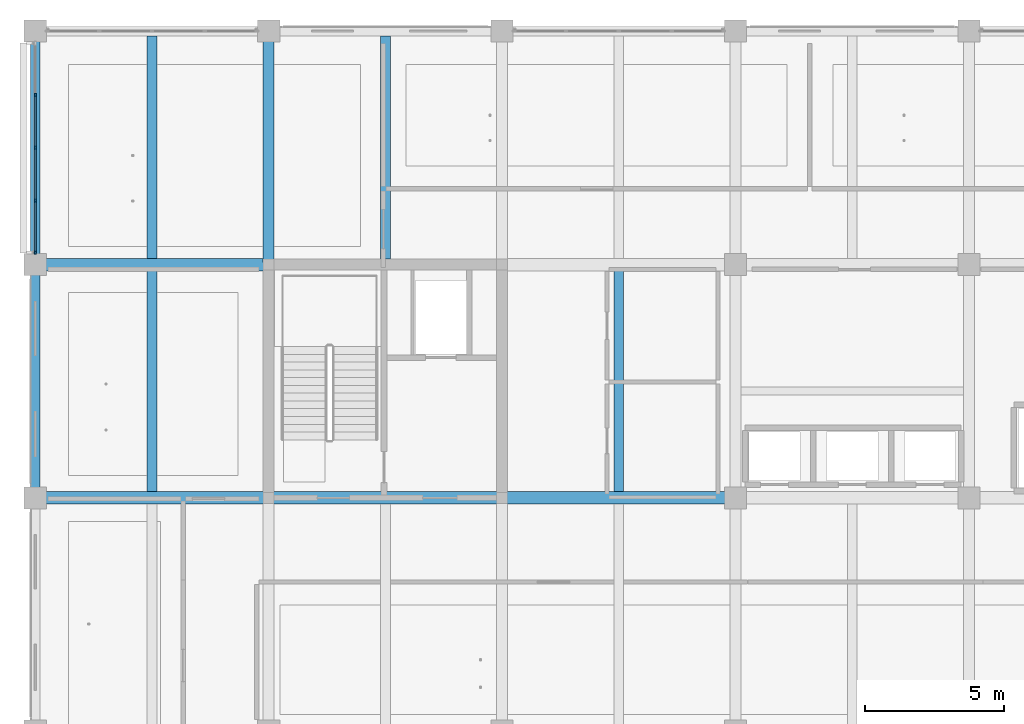
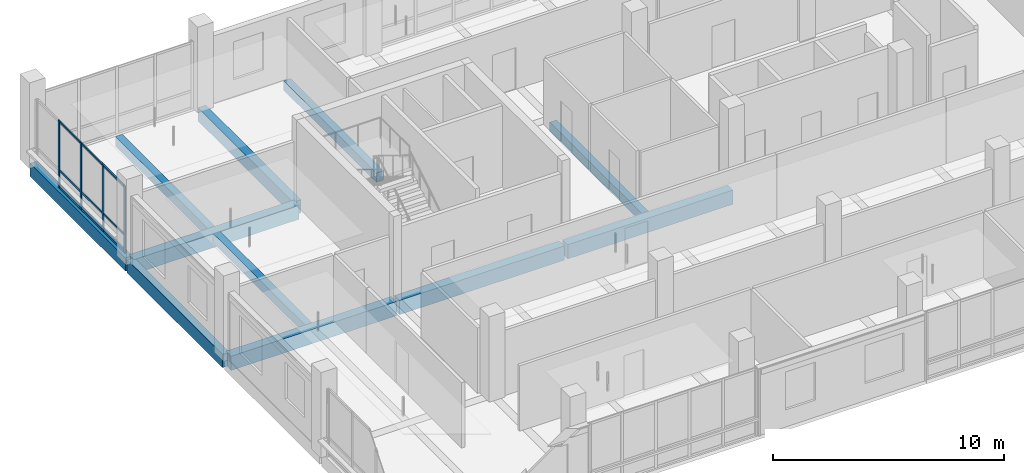
# One storey, part 4 of 34: 13 members, 11 beams, 1 element without a shape of its own.
"""IFC4 building model written with IfcOpenShell, lengths in metres."""

from ifc_helpers import new_model, si_unit, direction, frame, origin, origin_2d, place, context, subcontext, project, spatial, rectangle, extrude, material, layer, layer_set, material_profile, profile_set, type_object, element, aggregate, save


model = new_model("IFC4")

# Units and contexts
model_context = context("Model", 3, precision=1e-05, world=origin(), true_north=direction((0.0, 1.0)))
body_context = subcontext(model_context, "Body", "Model", "MODEL_VIEW")
ifc_project = project(units=[si_unit("LENGTHUNIT", "METRE"), si_unit("AREAUNIT", "SQUARE_METRE"), si_unit("VOLUMEUNIT", "CUBIC_METRE"), si_unit("PLANEANGLEUNIT", "RADIAN"), si_unit("MASSUNIT", "GRAM", prefix="KILO")], contexts=[model_context])

# Site, building, storey
site_placement = place(None, origin())
site = spatial("IfcSite", under=ifc_project, at=site_placement, CompositionType="ELEMENT")
building_placement = place(site_placement, origin())
building = spatial("IfcBuilding", under=site, at=building_placement, Name="Telukmera Botanical Conservatory", CompositionType="ELEMENT")
storey_placement = place(building_placement, frame((0.0, 0.0, 37.5)))
storey = spatial("IfcBuildingStorey", under=building, at=storey_placement, Name="L08", CompositionType="ELEMENT", Elevation=37.5)

# Beams
ifc_material_1 = material(Name="Concrete C40/50", Category="concrete")
ifc_material_profile_1 = material_profile(ifc_material_1, rectangle(XDim=0.35009765625, YDim=0.5, at=origin_2d()), Name="RC 350x500")
ifc_profile_set_1 = profile_set([ifc_material_profile_1], Name="Concrete C40/50")
beam_type_1 = type_object("IfcBeamType", Name="Beam_B22", PredefinedType="JOIST", material=ifc_profile_set_1)
beam_1_placement = place(storey_placement, frame((54.60009765625, 26.22509765625, -0.25), z_axis=(0.0, 1.0, 0.0), x_axis=(-1.0, 0.0, 0.0)))
element("IfcBeam", 1, at=beam_1_placement, inside=storey, type_object=beam_type_1, Name="Tower Secondary Floor Joist L08", PredefinedType="JOIST", context=body_context, shape_type="SweptSolid", body=[
    extrude(rectangle(XDim=0.35009765625, YDim=0.5, at=origin_2d()), origin(), (0.0, 0.0, 1.0), 7.949951171875),
])
beam_2_placement = place(storey_placement, frame((54.60009765625, 34.625, -0.25), z_axis=(0.0, 1.0, 0.0), x_axis=(-1.0, 0.0, 0.0)))
element("IfcBeam", 2, at=beam_2_placement, inside=storey, type_object=beam_type_1, Name="Tower Secondary Floor Joist L08", PredefinedType="JOIST", context=body_context, shape_type="SweptSolid", body=[
    extrude(rectangle(XDim=0.35009765625, YDim=0.5, at=origin_2d()), origin(), (0.0, 0.0, 1.0), 8.0),
])
beam_3_placement = place(storey_placement, frame((63.0, 34.60009765625, -0.25), z_axis=(0.0, 1.0, 0.0), x_axis=(-1.0, 0.0, 0.0)))
element("IfcBeam", 3, at=beam_3_placement, inside=storey, type_object=beam_type_1, Name="Tower Secondary Floor Joist L08", PredefinedType="JOIST", context=body_context, shape_type="SweptSolid", body=[
    extrude(rectangle(XDim=0.35009765625, YDim=0.5, at=origin_2d()), origin(), (0.0, 0.0, 1.0), 8.02490234375),
])
beam_4_placement = place(storey_placement, frame((71.39990234375, 26.22509765625, -0.25), z_axis=(0.0, 1.0, 0.0), x_axis=(-1.0, 0.0, 0.0)))
element("IfcBeam", 4, at=beam_4_placement, inside=storey, type_object=beam_type_1, Name="Tower Secondary Floor Joist L08", PredefinedType="JOIST", context=body_context, shape_type="SweptSolid", body=[
    extrude(rectangle(XDim=0.35009765625, YDim=0.5, at=origin_2d()), origin(), (0.0, 0.0, 1.0), 7.949951171875),
])
ifc_material_profile_2 = material_profile(ifc_material_1, rectangle(XDim=0.449951171875, YDim=0.75, at=origin_2d()), Name="RC 450x750")
ifc_profile_set_2 = profile_set([ifc_material_profile_2], Name="Concrete C40/50")
beam_type_2 = type_object("IfcBeamType", Name="Beam_B6", PredefinedType="BEAM", material=ifc_profile_set_2)
beam_5_placement = place(storey_placement, frame((50.47998046875, 26.0, -0.375), z_axis=(1.0, 0.0, 0.0), x_axis=(0.0, 1.0, 0.0)))
element("IfcBeam", 5, at=beam_5_placement, inside=storey, type_object=beam_type_2, Name="Tower Grid Beam L08", PredefinedType="BEAM", context=body_context, shape_type="SweptSolid", body=[
    extrude(rectangle(XDim=0.449951171875, YDim=0.75, at=origin_2d()), origin(), (0.0, 0.0, 1.0), 8.239990234375),
])
beam_6_placement = place(storey_placement, frame((58.8798828125, 26.0, -0.375), z_axis=(1.0, 0.0, 0.0), x_axis=(0.0, 1.0, 0.0)))
element("IfcBeam", 6, at=beam_6_placement, inside=storey, type_object=beam_type_2, Name="Tower Grid Beam L08", PredefinedType="BEAM", context=body_context, shape_type="SweptSolid", body=[
    extrude(rectangle(XDim=0.449951171875, YDim=0.75, at=origin_2d()), origin(), (0.0, 0.0, 1.0), 8.240234375),
])
for number, where, z_axis, x_axis, name in (
    (7, (67.280029296875, 26.0, -0.375), (1.0, 0.0, 0.0), (0.0, 1.0, 0.0), "Tower Grid Beam L08"),
    (8, (50.47998046875, 34.39990234375, -0.375), (1.0, 0.0, 0.0), (0.0, 1.0, 0.0), "Tower Grid Beam L08"),
):
    element("IfcBeam", number, at=place(storey_placement, frame(where, z_axis=z_axis, x_axis=x_axis)), inside=storey, type_object=beam_type_2, Name=name, PredefinedType="BEAM", context=body_context, shape_type="SweptSolid", body=[
        extrude(rectangle(XDim=0.449951171875, YDim=0.75, at=origin_2d()), origin(), (0.0, 0.0, 1.0), 8.239990234375),
    ])
ifc_material_profile_3 = material_profile(ifc_material_1, rectangle(XDim=0.39990234375, YDim=0.699951171875, at=origin_2d()), Name="RC 400x700")
ifc_profile_set_3 = profile_set([ifc_material_profile_3], Name="Concrete C40/50")
beam_type_3 = type_object("IfcBeamType", Name="Beam_B7", PredefinedType="BEAM", material=ifc_profile_set_3)
beam_7_placement = place(storey_placement, frame((58.800048828125, 34.47998046875, -0.35009765625), z_axis=(0.0, 1.0, 0.0), x_axis=(-1.0, 0.0, 0.0)))
element("IfcBeam", 9, at=beam_7_placement, inside=storey, type_object=beam_type_3, Name="Tower Transverse Beam L08", PredefinedType="BEAM", context=body_context, shape_type="SweptSolid", body=[
    extrude(rectangle(XDim=0.39990234375, YDim=0.699951171875, at=origin_2d()), origin(), (0.0, 0.0, 1.0), 8.239990234375),
])
ifc_material_2 = material(Name="Precast concrete C40/50", Category="concrete")
ifc_material_profile_4 = material_profile(ifc_material_2, rectangle(XDim=0.35009765625, YDim=0.699951171875, at=origin_2d()), Name="PC 350x700")
ifc_profile_set_4 = profile_set([ifc_material_profile_4], Name="Precast concrete C40/50")
beam_type_4 = type_object("IfcBeamType", Name="Beam_SP2", PredefinedType="SPANDREL", material=ifc_profile_set_4)
for number, where, z_axis, x_axis, name in (
    (10, (50.39990234375, 26.080078125, -0.35009765625), (0.0, 1.0, 0.0), (-1.0, 0.0, 0.0), "Tower Transverse Beam L08"),
    (11, (50.39990234375, 34.47998046875, -0.35009765625), (0.0, 1.0, 0.0), (-1.0, 0.0, 0.0), "Tower Transverse Beam L08"),
):
    element("IfcBeam", number, at=place(storey_placement, frame(where, z_axis=z_axis, x_axis=x_axis)), inside=storey, type_object=beam_type_4, Name=name, PredefinedType="SPANDREL", context=body_context, shape_type="SweptSolid", body=[
        extrude(rectangle(XDim=0.35009765625, YDim=0.699951171875, at=origin_2d()), origin(), (0.0, 0.0, 1.0), 8.239990234375),
    ])

# Curtain wall, members
ifc_material_3 = material(Name="Anodised aluminium 6063-T6", Category="aluminium")
ifc_layer = layer(ifc_material_3, 0.179931640625)
ifc_layer_set = layer_set([ifc_layer], Name="Anodised aluminium 6063-T6")
curtain_wall_type = type_object("IfcCurtainWallType", Name="Tower Research Laboratory Unitised Curtain Wall", PredefinedType="USERDEFINED", material=ifc_layer_set)
curtain_wall_placement = place(storey_placement, origin())
curtain_wall = element("IfcCurtainWall", 12, at=curtain_wall_placement, inside=storey, type_object=curtain_wall_type, Name="Unitised Curtain Wall CW15 V4:L08:W4", ObjectType="UNITISED CURTAIN WALL", PredefinedType="USERDEFINED")
ifc_material_profile_5 = material_profile(ifc_material_3, rectangle(XDim=0.06005859375, YDim=0.139892578125, at=origin_2d()), Name="ALU MULL 60x140")
ifc_profile_set_5 = profile_set([ifc_material_profile_5], Name="Anodised aluminium 6063-T6")
member_type_1 = type_object("IfcMemberType", Name="Curtain Wall Extruded Mullion 60x140", PredefinedType="MULLION", material=ifc_profile_set_5)
member_1_placement = place(storey_placement, frame((50.39990234375, 34.83203125, 0.0), z_axis=(0.0, 0.0, 1.0), x_axis=(-1.0, 0.0, 0.0)))
member_1 = element("IfcMember", 13, at=member_1_placement, type_object=member_type_1, Name="CW15 mullion 1", PredefinedType="MULLION", context=body_context, shape_type="SweptSolid", body=[
    extrude(rectangle(XDim=0.06005859375, YDim=0.139892578125, at=origin_2d()), origin(), (0.0, 0.0, 1.0), 3.550048828125),
])
member_2_placement = place(storey_placement, frame((50.39990234375, 36.700927734375, 0.0), z_axis=(0.0, 0.0, 1.0), x_axis=(-1.0, 0.0, 0.0)))
member_2 = element("IfcMember", 14, at=member_2_placement, type_object=member_type_1, Name="CW15 mullion 2", PredefinedType="MULLION", context=body_context, shape_type="SweptSolid", body=[
    extrude(rectangle(XDim=0.06005859375, YDim=0.139892578125, at=origin_2d()), origin(), (0.0, 0.0, 1.0), 3.550048828125),
])
member_3_placement = place(storey_placement, frame((50.39990234375, 38.60009765625, 0.0), z_axis=(0.0, 0.0, 1.0), x_axis=(-1.0, 0.0, 0.0)))
member_3 = element("IfcMember", 15, at=member_3_placement, type_object=member_type_1, Name="CW15 mullion 3", PredefinedType="MULLION", context=body_context, shape_type="SweptSolid", body=[
    extrude(rectangle(XDim=0.06005859375, YDim=0.139892578125, at=origin_2d()), origin(), (0.0, 0.0, 1.0), 3.550048828125),
])
member_4_placement = place(storey_placement, frame((50.39990234375, 40.4990234375, 0.0), z_axis=(0.0, 0.0, 1.0), x_axis=(-1.0, 0.0, 0.0)))
member_4 = element("IfcMember", 16, at=member_4_placement, type_object=member_type_1, Name="CW15 mullion 4", PredefinedType="MULLION", context=body_context, shape_type="SweptSolid", body=[
    extrude(rectangle(XDim=0.06005859375, YDim=0.139892578125, at=origin_2d()), origin(), (0.0, 0.0, 1.0), 3.550048828125),
])
ifc_material_profile_6 = material_profile(ifc_material_3, rectangle(XDim=0.06005859375, YDim=0.110107421875, at=origin_2d()), Name="ALU TRAN 60x110")
ifc_profile_set_6 = profile_set([ifc_material_profile_6], Name="Anodised aluminium 6063-T6")
member_type_2 = type_object("IfcMemberType", Name="Curtain Wall Extruded Transom 60x110", PredefinedType="USERDEFINED", material=ifc_profile_set_6)
member_5_placement = place(storey_placement, frame((50.39990234375, 34.862060546875, 0.054931640625), z_axis=(0.0, 1.0, 0.0), x_axis=(-1.0, 0.0, 0.0)))
member_5 = element("IfcMember", 17, at=member_5_placement, type_object=member_type_2, Name="CW15 transom 1.1", ObjectType="TRANSOM", PredefinedType="USERDEFINED", context=body_context, shape_type="SweptSolid", body=[
    extrude(rectangle(XDim=0.06005859375, YDim=0.110107421875, at=origin_2d()), origin(), (0.0, 0.0, 1.0), 1.808837890625),
])
member_6_placement = place(storey_placement, frame((50.39990234375, 34.862060546875, 0.949951171875), z_axis=(0.0, 1.0, 0.0), x_axis=(-1.0, 0.0, 0.0)))
member_6 = element("IfcMember", 18, at=member_6_placement, type_object=member_type_2, Name="CW15 transom 1.2", ObjectType="TRANSOM", PredefinedType="USERDEFINED", context=body_context, shape_type="SweptSolid", body=[
    extrude(rectangle(XDim=0.06005859375, YDim=0.110107421875, at=origin_2d()), origin(), (0.0, 0.0, 1.0), 1.808837890625),
])
member_7_placement = place(storey_placement, frame((50.39990234375, 34.862060546875, 3.4951171875), z_axis=(0.0, 1.0, 0.0), x_axis=(-1.0, 0.0, 0.0)))
member_7 = element("IfcMember", 19, at=member_7_placement, type_object=member_type_2, Name="CW15 transom 1.3", ObjectType="TRANSOM", PredefinedType="USERDEFINED", context=body_context, shape_type="SweptSolid", body=[
    extrude(rectangle(XDim=0.06005859375, YDim=0.110107421875, at=origin_2d()), origin(), (0.0, 0.0, 1.0), 1.808837890625),
])
member_8_placement = place(storey_placement, frame((50.39990234375, 36.73095703125, 0.054931640625), z_axis=(0.0, 1.0, 0.0), x_axis=(-1.0, 0.0, 0.0)))
member_8 = element("IfcMember", 20, at=member_8_placement, type_object=member_type_2, Name="CW15 transom 2.1", ObjectType="TRANSOM", PredefinedType="USERDEFINED", context=body_context, shape_type="SweptSolid", body=[
    extrude(rectangle(XDim=0.06005859375, YDim=0.110107421875, at=origin_2d()), origin(), (0.0, 0.0, 1.0), 1.839111328125),
])
member_9_placement = place(storey_placement, frame((50.39990234375, 36.73095703125, 0.949951171875), z_axis=(0.0, 1.0, 0.0), x_axis=(-1.0, 0.0, 0.0)))
member_9 = element("IfcMember", 21, at=member_9_placement, type_object=member_type_2, Name="CW15 transom 2.2", ObjectType="TRANSOM", PredefinedType="USERDEFINED", context=body_context, shape_type="SweptSolid", body=[
    extrude(rectangle(XDim=0.06005859375, YDim=0.110107421875, at=origin_2d()), origin(), (0.0, 0.0, 1.0), 1.839111328125),
])
member_10_placement = place(storey_placement, frame((50.39990234375, 36.73095703125, 3.4951171875), z_axis=(0.0, 1.0, 0.0), x_axis=(-1.0, 0.0, 0.0)))
member_10 = element("IfcMember", 22, at=member_10_placement, type_object=member_type_2, Name="CW15 transom 2.3", ObjectType="TRANSOM", PredefinedType="USERDEFINED", context=body_context, shape_type="SweptSolid", body=[
    extrude(rectangle(XDim=0.06005859375, YDim=0.110107421875, at=origin_2d()), origin(), (0.0, 0.0, 1.0), 1.839111328125),
])
member_11_placement = place(storey_placement, frame((50.39990234375, 38.6298828125, 0.054931640625), z_axis=(0.0, 1.0, 0.0), x_axis=(-1.0, 0.0, 0.0)))
member_11 = element("IfcMember", 23, at=member_11_placement, type_object=member_type_2, Name="CW15 transom 3.1", ObjectType="TRANSOM", PredefinedType="USERDEFINED", context=body_context, shape_type="SweptSolid", body=[
    extrude(rectangle(XDim=0.06005859375, YDim=0.110107421875, at=origin_2d()), origin(), (0.0, 0.0, 1.0), 1.839111328125),
])
member_12_placement = place(storey_placement, frame((50.39990234375, 38.6298828125, 0.949951171875), z_axis=(0.0, 1.0, 0.0), x_axis=(-1.0, 0.0, 0.0)))
member_12 = element("IfcMember", 24, at=member_12_placement, type_object=member_type_2, Name="CW15 transom 3.2", ObjectType="TRANSOM", PredefinedType="USERDEFINED", context=body_context, shape_type="SweptSolid", body=[
    extrude(rectangle(XDim=0.06005859375, YDim=0.110107421875, at=origin_2d()), origin(), (0.0, 0.0, 1.0), 1.839111328125),
])
member_13_placement = place(storey_placement, frame((50.39990234375, 38.6298828125, 3.4951171875), z_axis=(0.0, 1.0, 0.0), x_axis=(-1.0, 0.0, 0.0)))
member_13 = element("IfcMember", 25, at=member_13_placement, type_object=member_type_2, Name="CW15 transom 3.3", ObjectType="TRANSOM", PredefinedType="USERDEFINED", context=body_context, shape_type="SweptSolid", body=[
    extrude(rectangle(XDim=0.06005859375, YDim=0.110107421875, at=origin_2d()), origin(), (0.0, 0.0, 1.0), 1.839111328125),
])
aggregate(curtain_wall, [member_1, member_2, member_3, member_4, member_5, member_6, member_7, member_8, member_9, member_10, member_11, member_12, member_13])

save(model, "model.ifc")
